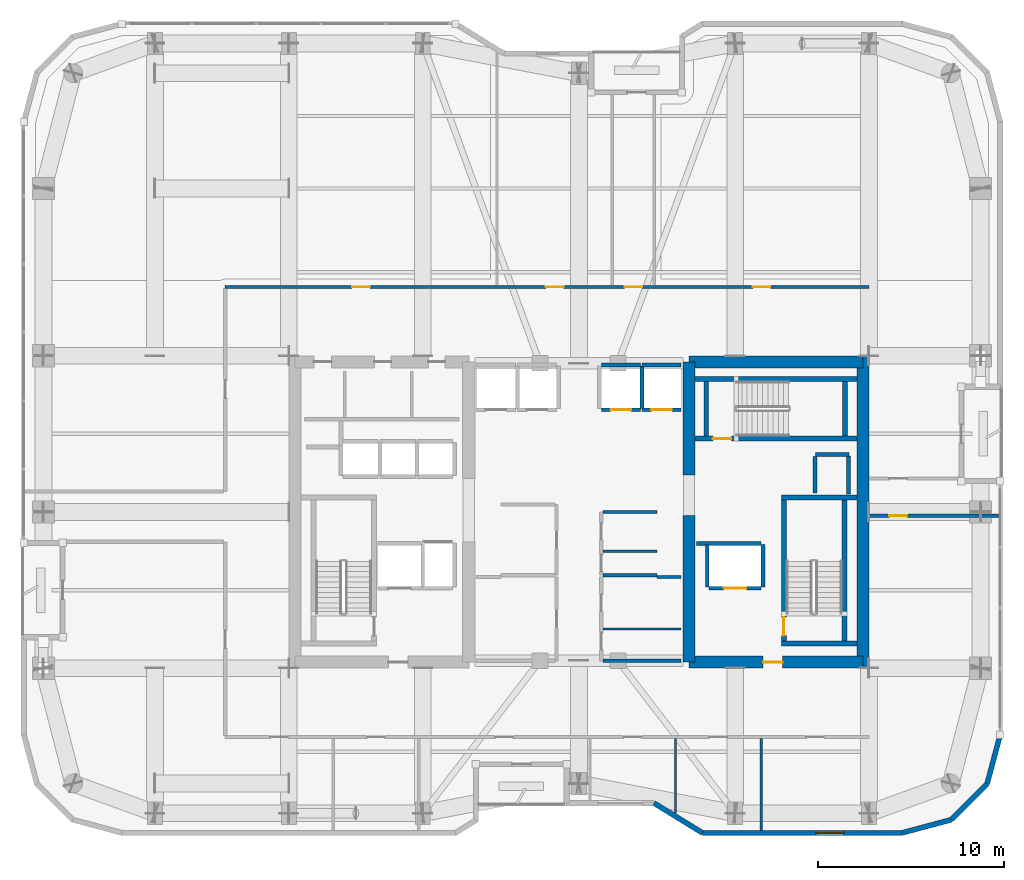
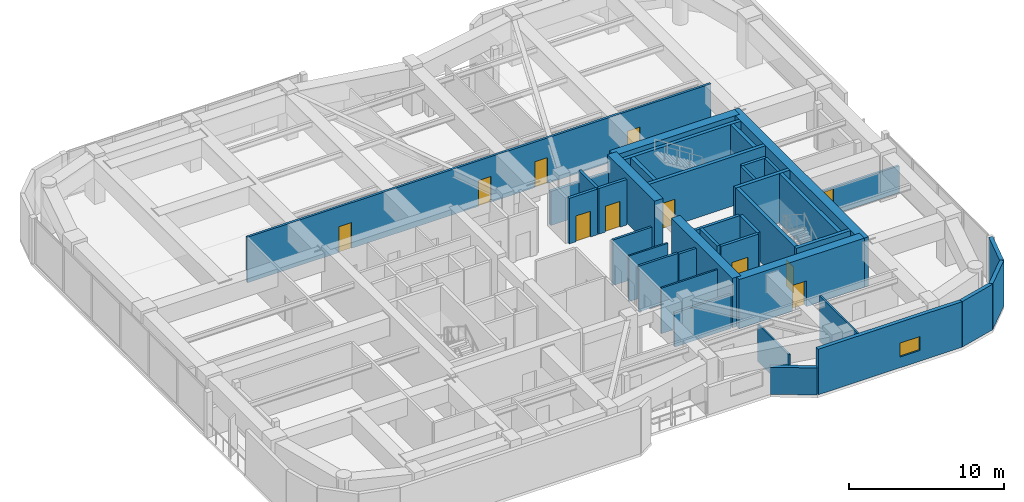
# One storey, part 26 of 30: 40 walls, 11 doors, 1 window, 12 openings.
"""IFC4 building model written with IfcOpenShell, lengths in metres."""

from ifc_helpers import new_model, si_unit, direction, frame, frame_2d, origin, place, context, subcontext, project, spatial, rectangle, extrude, material, layer, layer_set, type_object, element, fill, save


model = new_model("IFC4")

# Units and contexts
model_context = context("Model", 3, precision=1e-05, world=origin(), true_north=direction((0.0, 1.0)))
body_context = subcontext(model_context, "Body", "Model", "MODEL_VIEW")
ifc_project = project(units=[si_unit("LENGTHUNIT", "METRE"), si_unit("AREAUNIT", "SQUARE_METRE"), si_unit("VOLUMEUNIT", "CUBIC_METRE"), si_unit("PLANEANGLEUNIT", "RADIAN"), si_unit("MASSUNIT", "GRAM", prefix="KILO")], contexts=[model_context])

# Site, building, storey
site_placement = place(None, origin())
site = spatial("IfcSite", under=ifc_project, at=site_placement, CompositionType="ELEMENT")
building_placement = place(site_placement, origin())
building = spatial("IfcBuilding", under=site, at=building_placement, Name="Kiyonajd Concourse Tower", CompositionType="ELEMENT")
storey_placement = place(building_placement, frame((0.0, 0.0, 205.800048828125)))
storey = spatial("IfcBuildingStorey", under=building, at=storey_placement, Name="L52", CompositionType="ELEMENT", Elevation=205.800048828125)

# Walls
ifc_material_1 = material(Name="Concrete C60/75", Category="concrete")
ifc_layer_1 = layer(ifc_material_1, 0.64990234375)
ifc_layer_set_1 = layer_set([ifc_layer_1], Name="Concrete C60/75")
wall_type_1 = type_object("IfcWallType", Name="WL-CORE-650", PredefinedType="SHEAR", material=ifc_layer_set_1)
wall_1_placement = place(storey_placement, frame((53.925048828125, 27.925048828125, 0.0), z_axis=(0.0, 0.0, 1.0), x_axis=(0.0, 1.0, 0.0)))
element("IfcWall", 1, at=wall_1_placement, inside=storey, type_object=wall_type_1, Name="L52 East Core Inner South Shear Wall", PredefinedType="SHEAR", context=body_context, shape_type="SweptSolid", body=[
    extrude(rectangle(XDim=7.875, YDim=0.64990234375, at=frame_2d((3.9375, 0.0))), origin(), (0.0, 0.0, 1.0), 3.89990234375),
])
wall_2_placement = place(storey_placement, frame((53.925048828125, 38.0, 0.0), z_axis=(0.0, 0.0, 1.0), x_axis=(0.0, 1.0, 0.0)))
element("IfcWall", 2, at=wall_2_placement, inside=storey, type_object=wall_type_1, Name="L52 East Core Inner North Shear Wall", PredefinedType="SHEAR", context=body_context, shape_type="SweptSolid", body=[
    extrude(rectangle(XDim=6.074951171875, YDim=0.64990234375, at=frame_2d((3.03759765625, 0.0))), origin(), (0.0, 0.0, 1.0), 3.89990234375),
])
wall_3_placement = place(storey_placement, frame((63.27490234375, 27.60009765625, 0.0), z_axis=(0.0, 0.0, 1.0), x_axis=(0.0, 1.0, 0.0)))
element("IfcWall", 3, at=wall_3_placement, inside=storey, type_object=wall_type_1, Name="L52 East Core Outer Shear Wall", PredefinedType="SHEAR", context=body_context, shape_type="SweptSolid", body=[
    extrude(rectangle(XDim=16.7998046875, YDim=0.64990234375, at=frame_2d((8.39990234375, 0.0))), origin(), (0.0, 0.0, 1.0), 3.89990234375),
])

# Wall, opening, door
wall_4_placement = place(storey_placement, frame((53.925048828125, 27.925048828125, 0.0), z_axis=(0.0, 0.0, 1.0), x_axis=(1.0, 0.0, 0.0)))
wall_4 = element("IfcWall", 4, at=wall_4_placement, inside=storey, type_object=wall_type_1, Name="L52 East Core South Shear Wall", PredefinedType="SHEAR", context=body_context, shape_type="SweptSolid", body=[
    extrude(rectangle(XDim=9.349853515625, YDim=0.64990234375, at=frame_2d((4.6748046875, 0.0))), origin(), (0.0, 0.0, 1.0), 3.89990234375),
])
opening_1_placement = place(wall_4_placement, frame((3.97509765625, 0.0, 0.0)))
opening_1 = element("IfcOpeningElement", 5, at=opening_1_placement, cuts=wall_4, Name="Opening DF5", PredefinedType="OPENING", context=body_context, shape_type="SweptSolid", body=[
    extrude(rectangle(XDim=1.050048828125, YDim=2.0400390625, at=frame_2d((0.52490234375, 1.02001953125))), frame((0.0, 0.3349609375, 0.0), z_axis=(0.0, -1.0, 0.0), x_axis=(1.0, 0.0, 0.0)), (0.0, 0.0, 1.0), 0.669921875),
])
ifc_material_2 = material(Name="Brushed Stainless Steel Cab Assembly", Category="steel")
door_type_1 = type_object("IfcDoorType", Name="DR-FD45-1050", OperationType="NOTDEFINED", PredefinedType="DOOR", material=ifc_material_2)
door_1_placement = place(opening_1_placement, origin())
door_1 = element("IfcDoor", 6, at=door_1_placement, inside=storey, type_object=door_type_1, Name="L52 Firefighting Lift Lobby E Smoke Door", OperationType="SINGLE_SWING_RIGHT", OverallHeight=2.0400390625, OverallWidth=1.050048828125, PredefinedType="DOOR", context=body_context, shape_type="SweptSolid", body=[
    extrude(rectangle(XDim=1.050048828125, YDim=2.0400390625, at=frame_2d((0.52490234375, 1.02001953125))), frame((0.0, 0.02490234375, 0.0), z_axis=(0.0, -1.0, 0.0), x_axis=(1.0, 0.0, 0.0)), (0.0, 0.0, 1.0), 0.050048828125),
])
fill(opening_1, door_1)

# Walls
wall_5_placement = place(storey_placement, frame((53.925048828125, 44.074951171875, 0.0), z_axis=(0.0, 0.0, 1.0), x_axis=(1.0, 0.0, 0.0)))
element("IfcWall", 7, at=wall_5_placement, inside=storey, type_object=wall_type_1, Name="L52 East Core North Shear Wall", PredefinedType="SHEAR", context=body_context, shape_type="SweptSolid", body=[
    extrude(rectangle(XDim=9.349853515625, YDim=0.64990234375, at=frame_2d((4.6748046875, 0.0))), origin(), (0.0, 0.0, 1.0), 3.89990234375),
])
ifc_material_3 = material(Name="Precast concrete C50/60", Category="concrete")
ifc_layer_2 = layer(ifc_material_3, 0.280029296875)
ifc_layer_set_2 = layer_set([ifc_layer_2], Name="Precast concrete C50/60")
wall_type_2 = type_object("IfcWallType", Name="WL-EXT-280", PredefinedType="SOLIDWALL", material=ifc_layer_set_2)
wall_6_placement = place(storey_placement, frame((70.659912109375, 24.018310546875, 0.0), z_axis=(0.0, 0.0, 1.0), x_axis=(-0.258672222976, -0.9659651552, 0.0)))
element("IfcWall", 8, at=wall_6_placement, inside=storey, type_object=wall_type_2, Name="L52 Exterior Concrete Frame Wall 25", PredefinedType="SOLIDWALL", context=body_context, shape_type="SweptSolid", body=[
    extrude(rectangle(XDim=2.739013671875, YDim=0.280029296875, at=frame_2d((1.36962890625, 0.0))), origin(), (0.0, 0.0, 1.0), 3.599853515625),
])
wall_7_placement = place(storey_placement, frame((69.951416015625, 21.37255859375, 0.0), z_axis=(0.0, 0.0, 1.0), x_axis=(-0.707061915429, -0.707151644098, 0.0)))
element("IfcWall", 9, at=wall_7_placement, inside=storey, type_object=wall_type_2, Name="L52 Exterior Concrete Frame Wall 26", PredefinedType="SOLIDWALL", context=body_context, shape_type="SweptSolid", body=[
    extrude(rectangle(XDim=2.720947265625, YDim=0.280029296875, at=frame_2d((1.3603515625, 0.0))), origin(), (0.0, 0.0, 1.0), 3.599853515625),
])
wall_8_placement = place(storey_placement, frame((68.027587890625, 19.448486328125, 0.0), z_axis=(0.0, 0.0, 1.0), x_axis=(-0.965971118627, -0.258649952598, 0.0)))
element("IfcWall", 10, at=wall_8_placement, inside=storey, type_object=wall_type_2, Name="L52 Exterior Concrete Frame Wall 27", PredefinedType="SOLIDWALL", context=body_context, shape_type="SweptSolid", body=[
    extrude(rectangle(XDim=2.7392578125, YDim=0.280029296875, at=frame_2d((1.36962890625, 0.0))), origin(), (0.0, 0.0, 1.0), 3.599853515625),
])

# Wall, opening, window
wall_9_placement = place(storey_placement, frame((65.381591796875, 18.739990234375, 0.0), z_axis=(0.0, 0.0, 1.0), x_axis=(-1.0, 0.0, 0.0)))
wall_9 = element("IfcWall", 11, at=wall_9_placement, inside=storey, type_object=wall_type_2, Name="L52 Exterior Concrete Frame Wall 28", PredefinedType="SOLIDWALL", context=body_context, shape_type="SweptSolid", body=[
    extrude(rectangle(XDim=10.741943359375, YDim=0.280029296875, at=frame_2d((5.37109375, 0.0))), origin(), (0.0, 0.0, 1.0), 3.599853515625),
])
opening_2_placement = place(wall_9_placement, frame((3.135986328125, 0.0, 0.85009765625)))
opening_2 = element("IfcOpeningElement", 12, at=opening_2_placement, cuts=wall_9, Name="Opening WN2", PredefinedType="OPENING", context=body_context, shape_type="SweptSolid", body=[
    extrude(rectangle(XDim=1.5, YDim=1.10009765625, at=frame_2d((0.75, 0.550048828125))), frame((0.0, 0.14990234375, 0.0), z_axis=(0.0, -1.0, 0.0), x_axis=(1.0, 0.0, 0.0)), (0.0, 0.0, 1.0), 0.300048828125),
])
ifc_material_4 = material(Name="Double Low-E Insulated Glass", Category="glass")
window_type = type_object("IfcWindowType", Name="WN-VIS-1500x1100", PartitioningType="SINGLE_PANEL", PredefinedType="WINDOW", material=ifc_material_4)
window_placement = place(opening_2_placement, origin())
window = element("IfcWindow", 13, at=window_placement, inside=storey, type_object=window_type, Name="L52 Modular Facade Vision Window 28", OverallHeight=1.10009765625, OverallWidth=1.5, PartitioningType="SINGLE_PANEL", PredefinedType="WINDOW", context=body_context, shape_type="SweptSolid", body=[
    extrude(rectangle(XDim=1.5, YDim=1.10009765625, at=frame_2d((0.75, 0.550048828125))), frame((0.0, 0.030029296875, 0.0), z_axis=(0.0, -1.0, 0.0), x_axis=(1.0, 0.0, 0.0)), (0.0, 0.0, 1.0), 0.06005859375),
])
fill(opening_2, window)

# Walls
wall_10_placement = place(storey_placement, frame((54.6396484375, 18.739990234375, 0.0), z_axis=(0.0, 0.0, 1.0), x_axis=(-0.851652825334, 0.524106349037, 0.0)))
element("IfcWall", 14, at=wall_10_placement, inside=storey, type_object=wall_type_2, Name="L52 Exterior Concrete Frame Wall 29", PredefinedType="SOLIDWALL", context=body_context, shape_type="SweptSolid", body=[
    extrude(rectangle(XDim=3.052978515625, YDim=0.280029296875, at=frame_2d((1.5263671875, 0.0))), origin(), (0.0, 0.0, 1.0), 2.135009765625),
])
ifc_material_5 = material(Name="Gypsum Board on Cold-Formed Steel Stud", Category="steel")
ifc_layer_3 = layer(ifc_material_5, 0.125)
ifc_layer_set_3 = layer_set([ifc_layer_3], Name="Gypsum Board on Cold-Formed Steel Stud")
wall_type_3 = type_object("IfcWallType", Name="WL-PART-125", PredefinedType="PARTITIONING", material=ifc_layer_set_3)
wall_11_placement = place(storey_placement, frame((49.287109375, 33.89208984375, 0.0), z_axis=(0.0, 0.0, 1.0), x_axis=(1.0, 0.0, 0.0)))
element("IfcWall", 15, at=wall_11_placement, inside=storey, type_object=wall_type_3, Name="L52 Interior Partition Wall", PredefinedType="PARTITIONING", context=body_context, shape_type="SweptSolid", body=[
    extrude(rectangle(XDim=2.912841796875, YDim=0.125, at=frame_2d((1.45654296875, 0.0))), origin(), (0.0, 0.0, 1.0), 3.599853515625),
])
wall_12_placement = place(storey_placement, frame((49.287109375, 29.7099609375, 0.0), z_axis=(0.0, 0.0, 1.0), x_axis=(1.0, 0.0, 0.0)))
element("IfcWall", 16, at=wall_12_placement, inside=storey, type_object=wall_type_3, Name="L52 Interior Partition Wall", PredefinedType="PARTITIONING", context=body_context, shape_type="SweptSolid", body=[
    extrude(rectangle(XDim=4.212890625, YDim=0.125, at=frame_2d((2.1064453125, 0.0))), origin(), (0.0, 0.0, 1.0), 3.599853515625),
])
wall_13_placement = place(storey_placement, frame((53.18994140625, 19.800048828125, 0.0), z_axis=(0.0, 0.0, 1.0), x_axis=(0.0, 1.0, 0.0)))
element("IfcWall", 17, at=wall_13_placement, inside=storey, type_object=wall_type_3, Name="L52 Interior Partition Wall", PredefinedType="PARTITIONING", context=body_context, shape_type="SweptSolid", body=[
    extrude(rectangle(XDim=4.012939453125, YDim=0.125, at=frame_2d((2.00634765625, 0.0))), origin(), (0.0, 0.0, 1.0), 2.962890625),
])
wall_14_placement = place(storey_placement, frame((57.800048828125, 18.875, 0.0), z_axis=(0.0, 0.0, 1.0), x_axis=(0.0, 1.0, 0.0)))
element("IfcWall", 18, at=wall_14_placement, inside=storey, type_object=wall_type_3, Name="L52 Interior Partition Wall", PredefinedType="PARTITIONING", context=body_context, shape_type="SweptSolid", body=[
    extrude(rectangle(XDim=4.93798828125, YDim=0.125, at=frame_2d((2.468994140625, 0.0))), origin(), (0.0, 0.0, 1.0), 3.599853515625),
])
ifc_layer_4 = layer(ifc_material_5, 0.2099609375)
ifc_layer_set_4 = layer_set([ifc_layer_4], Name="Gypsum Board on Cold-Formed Steel Stud")
wall_type_4 = type_object("IfcWallType", Name="WL-SHAFT-210", PredefinedType="PARTITIONING", material=ifc_layer_set_4)
wall_15_placement = place(storey_placement, frame((60.719970703125, 39.10009765625, 0.0), z_axis=(0.0, 0.0, 1.0), x_axis=(1.0, 0.0, 0.0)))
element("IfcWall", 19, at=wall_15_placement, inside=storey, type_object=wall_type_4, Name="L52 Shaft Enclosure Wall", PredefinedType="PARTITIONING", context=body_context, shape_type="SweptSolid", body=[
    extrude(rectangle(XDim=1.800048828125, YDim=0.2099609375, at=frame_2d((0.89990234375, 0.0))), origin(), (0.0, 0.0, 1.0), 3.599853515625),
])
wall_16_placement = place(storey_placement, frame((60.699951171875, 37.02001953125, 0.0), z_axis=(0.0, 0.0, 1.0), x_axis=(0.0, 1.0, 0.0)))
element("IfcWall", 20, at=wall_16_placement, inside=storey, type_object=wall_type_4, Name="L52 Shaft Enclosure Wall", PredefinedType="PARTITIONING", context=body_context, shape_type="SweptSolid", body=[
    extrude(rectangle(XDim=1.9599609375, YDim=0.2099609375, at=frame_2d((0.97998046875, 0.0))), origin(), (0.0, 0.0, 1.0), 3.599853515625),
])
wall_17_placement = place(storey_placement, frame((62.5, 36.97998046875, 0.0), z_axis=(0.0, 0.0, 1.0), x_axis=(0.0, 1.0, 0.0)))
element("IfcWall", 21, at=wall_17_placement, inside=storey, type_object=wall_type_4, Name="L52 Shaft Enclosure Wall", PredefinedType="PARTITIONING", context=body_context, shape_type="SweptSolid", body=[
    extrude(rectangle(XDim=2.0400390625, YDim=0.2099609375, at=frame_2d((1.02001953125, 0.0))), origin(), (0.0, 0.0, 1.0), 3.599853515625),
])

# Wall, opening, door
wall_18_placement = place(storey_placement, frame((55.0, 31.89990234375, 0.0), z_axis=(0.0, 0.0, 1.0), x_axis=(1.0, 0.0, 0.0)))
wall_18 = element("IfcWall", 22, at=wall_18_placement, inside=storey, type_object=wall_type_4, Name="L52 Shaft Enclosure Wall", PredefinedType="PARTITIONING", context=body_context, shape_type="SweptSolid", body=[
    extrude(rectangle(XDim=2.800048828125, YDim=0.2099609375, at=frame_2d((1.39990234375, 0.0))), origin(), (0.0, 0.0, 1.0), 3.599853515625),
])
opening_3_placement = place(wall_18_placement, frame((0.800048828125, 0.0, 0.0)))
opening_3 = element("IfcOpeningElement", 23, at=opening_3_placement, cuts=wall_18, Name="Opening LD2", PredefinedType="OPENING", context=body_context, shape_type="SweptSolid", body=[
    extrude(rectangle(XDim=1.199951171875, YDim=2.0400390625, at=frame_2d((0.60009765625, 1.02001953125))), frame((0.0, 0.114990234375, 0.0), z_axis=(0.0, -1.0, 0.0), x_axis=(1.0, 0.0, 0.0)), (0.0, 0.0, 1.0), 0.22998046875),
])
door_type_2 = type_object("IfcDoorType", Name="DR-LD-1200", OperationType="DOUBLE_DOOR_SLIDING", PredefinedType="DOOR", material=ifc_material_2)
door_2_placement = place(opening_3_placement, origin())
door_2 = element("IfcDoor", 24, at=door_2_placement, inside=storey, type_object=door_type_2, Name="L52 Lift FFL2 Sliding Landing Door", OperationType="DOUBLE_DOOR_SLIDING", OverallHeight=2.0400390625, OverallWidth=1.199951171875, PredefinedType="DOOR", context=body_context, shape_type="SweptSolid", body=[
    extrude(rectangle(XDim=1.199951171875, YDim=2.0400390625, at=frame_2d((0.60009765625, 1.02001953125))), frame((0.0, 0.02490234375, 0.0), z_axis=(0.0, -1.0, 0.0), x_axis=(1.0, 0.0, 0.0)), (0.0, 0.0, 1.0), 0.050048828125),
])
fill(opening_3, door_2)

# Walls
wall_19_placement = place(storey_placement, frame((54.320068359375, 34.300048828125, 0.0), z_axis=(0.0, 0.0, 1.0), x_axis=(1.0, 0.0, 0.0)))
element("IfcWall", 25, at=wall_19_placement, inside=storey, type_object=wall_type_4, Name="L52 Shaft Enclosure Wall", PredefinedType="PARTITIONING", context=body_context, shape_type="SweptSolid", body=[
    extrude(rectangle(XDim=3.47998046875, YDim=0.2099609375, at=frame_2d((1.739990234375, 0.0))), origin(), (0.0, 0.0, 1.0), 3.599853515625),
])
for number, where, z_axis, x_axis, name in (
    (26, (54.89990234375, 31.9599609375, 0.0), (0.0, 0.0, 1.0), (0.0, 1.0, 0.0), "L52 Shaft Enclosure Wall"),
    (27, (57.89990234375, 31.9599609375, 0.0), (0.0, 0.0, 1.0), (0.0, 1.0, 0.0), "L52 Shaft Enclosure Wall"),
):
    element("IfcWall", number, at=place(storey_placement, frame(where, z_axis=z_axis, x_axis=x_axis)), inside=storey, type_object=wall_type_4, Name=name, PredefinedType="PARTITIONING", context=body_context, shape_type="SweptSolid", body=[
        extrude(rectangle(XDim=2.280029296875, YDim=0.2099609375, at=frame_2d((1.14013671875, 0.0))), origin(), (0.0, 0.0, 1.0), 3.599853515625),
    ])

# Wall, opening, door
wall_20_placement = place(storey_placement, frame((49.199951171875, 41.5, 0.0), z_axis=(0.0, 0.0, 1.0), x_axis=(1.0, 0.0, 0.0)))
wall_20 = element("IfcWall", 28, at=wall_20_placement, inside=storey, type_object=wall_type_4, Name="L52 Shaft Enclosure Wall", PredefinedType="PARTITIONING", context=body_context, shape_type="SweptSolid", body=[
    extrude(rectangle(XDim=2.10009765625, YDim=0.2099609375, at=frame_2d((1.050048828125, 0.0))), origin(), (0.0, 0.0, 1.0), 3.599853515625),
])
opening_4_placement = place(wall_20_placement, frame((0.5, 0.0, 0.0)))
opening_4 = element("IfcOpeningElement", 29, at=opening_4_placement, cuts=wall_20, Name="Opening LD1", PredefinedType="OPENING", context=body_context, shape_type="SweptSolid", body=[
    extrude(rectangle(XDim=1.10009765625, YDim=2.0400390625, at=frame_2d((0.550048828125, 1.02001953125))), frame((0.0, 0.114990234375, 0.0), z_axis=(0.0, -1.0, 0.0), x_axis=(1.0, 0.0, 0.0)), (0.0, 0.0, 1.0), 0.22998046875),
])
door_type_3 = type_object("IfcDoorType", Name="DR-LD-1100", OperationType="DOUBLE_DOOR_SLIDING", PredefinedType="DOOR", material=ifc_material_2)
door_3_placement = place(opening_4_placement, origin())
door_3 = element("IfcDoor", 30, at=door_3_placement, inside=storey, type_object=door_type_3, Name="L52 Lift PL-M3 Sliding Landing Door", OperationType="DOUBLE_DOOR_SLIDING", OverallHeight=2.0400390625, OverallWidth=1.10009765625, PredefinedType="DOOR", context=body_context, shape_type="SweptSolid", body=[
    extrude(rectangle(XDim=1.10009765625, YDim=2.0400390625, at=frame_2d((0.550048828125, 1.02001953125))), frame((0.0, 0.02490234375, 0.0), z_axis=(0.0, -1.0, 0.0), x_axis=(1.0, 0.0, 0.0)), (0.0, 0.0, 1.0), 0.050048828125),
])
fill(opening_4, door_3)

# Walls
wall_21_placement = place(storey_placement, frame((49.199951171875, 43.89990234375, 0.0), z_axis=(0.0, 0.0, 1.0), x_axis=(1.0, 0.0, 0.0)))
element("IfcWall", 31, at=wall_21_placement, inside=storey, type_object=wall_type_4, Name="L52 Shaft Enclosure Wall", PredefinedType="PARTITIONING", context=body_context, shape_type="SweptSolid", body=[
    extrude(rectangle(XDim=2.10009765625, YDim=0.2099609375, at=frame_2d((1.050048828125, 0.0))), origin(), (0.0, 0.0, 1.0), 2.68505859375),
])
wall_22_placement = place(storey_placement, frame((51.39990234375, 41.56005859375, 0.0), z_axis=(0.0, 0.0, 1.0), x_axis=(0.0, 1.0, 0.0)))
element("IfcWall", 32, at=wall_22_placement, inside=storey, type_object=wall_type_4, Name="L52 Shaft Enclosure Wall", PredefinedType="PARTITIONING", context=body_context, shape_type="SweptSolid", body=[
    extrude(rectangle(XDim=2.280029296875, YDim=0.2099609375, at=frame_2d((1.14013671875, 0.0))), origin(), (0.0, 0.0, 1.0), 3.599853515625),
])

# Wall, opening, door
wall_23_placement = place(storey_placement, frame((51.39990234375, 41.5, 0.0), z_axis=(0.0, 0.0, 1.0), x_axis=(1.0, 0.0, 0.0)))
wall_23 = element("IfcWall", 33, at=wall_23_placement, inside=storey, type_object=wall_type_4, Name="L52 Shaft Enclosure Wall", PredefinedType="PARTITIONING", context=body_context, shape_type="SweptSolid", body=[
    extrude(rectangle(XDim=2.10009765625, YDim=0.2099609375, at=frame_2d((1.050048828125, 0.0))), origin(), (0.0, 0.0, 1.0), 3.599853515625),
])
opening_5_placement = place(wall_23_placement, frame((0.5, 0.0, 0.0)))
opening_5 = element("IfcOpeningElement", 34, at=opening_5_placement, cuts=wall_23, Name="Opening LD1", PredefinedType="OPENING", context=body_context, shape_type="SweptSolid", body=[
    extrude(rectangle(XDim=1.10009765625, YDim=2.0400390625, at=frame_2d((0.550048828125, 1.02001953125))), frame((0.0, 0.114990234375, 0.0), z_axis=(0.0, -1.0, 0.0), x_axis=(1.0, 0.0, 0.0)), (0.0, 0.0, 1.0), 0.22998046875),
])
door_4_placement = place(opening_5_placement, origin())
door_4 = element("IfcDoor", 35, at=door_4_placement, inside=storey, type_object=door_type_3, Name="L52 Lift PL-M4 Sliding Landing Door", OperationType="DOUBLE_DOOR_SLIDING", OverallHeight=2.0400390625, OverallWidth=1.10009765625, PredefinedType="DOOR", context=body_context, shape_type="SweptSolid", body=[
    extrude(rectangle(XDim=1.10009765625, YDim=2.0400390625, at=frame_2d((0.550048828125, 1.02001953125))), frame((0.0, 0.02490234375, 0.0), z_axis=(0.0, -1.0, 0.0), x_axis=(1.0, 0.0, 0.0)), (0.0, 0.0, 1.0), 0.050048828125),
])
fill(opening_5, door_4)

# Walls
wall_24_placement = place(storey_placement, frame((51.39990234375, 43.89990234375, 0.0), z_axis=(0.0, 0.0, 1.0), x_axis=(1.0, 0.0, 0.0)))
element("IfcWall", 36, at=wall_24_placement, inside=storey, type_object=wall_type_4, Name="L52 Shaft Enclosure Wall", PredefinedType="PARTITIONING", context=body_context, shape_type="SweptSolid", body=[
    extrude(rectangle(XDim=2.10009765625, YDim=0.2099609375, at=frame_2d((1.050048828125, 0.0))), origin(), (0.0, 0.0, 1.0), 2.68505859375),
])
ifc_layer_5 = layer(ifc_material_5, 0.169921875)
ifc_layer_set_5 = layer_set([ifc_layer_5], Name="Gypsum Board on Cold-Formed Steel Stud")
wall_type_5 = type_object("IfcWallType", Name="WL-SMK-170", PredefinedType="PARTITIONING", material=ifc_layer_set_5)
for number, where, z_axis, x_axis, name in (
    (37, (49.287109375, 32.60009765625, 0.0), (0.0, 0.0, 1.0), (1.0, 0.0, 0.0), "L52 Interior Partition Wall"),
    (38, (49.287109375, 36.0, 0.0), (0.0, 0.0, 1.0), (1.0, 0.0, 0.0), "L52 Interior Partition Wall"),
):
    element("IfcWall", number, at=place(storey_placement, frame(where, z_axis=z_axis, x_axis=x_axis)), inside=storey, type_object=wall_type_5, Name=name, PredefinedType="PARTITIONING", context=body_context, shape_type="SweptSolid", body=[
        extrude(rectangle(XDim=2.912841796875, YDim=0.169921875, at=frame_2d((1.45654296875, 0.0))), origin(), (0.0, 0.0, 1.0), 3.599853515625),
    ])
wall_25_placement = place(storey_placement, frame((49.287109375, 28.0, 0.0), z_axis=(0.0, 0.0, 1.0), x_axis=(1.0, 0.0, 0.0)))
element("IfcWall", 39, at=wall_25_placement, inside=storey, type_object=wall_type_5, Name="L52 Interior Partition Wall", PredefinedType="PARTITIONING", context=body_context, shape_type="SweptSolid", body=[
    extrude(rectangle(XDim=4.212890625, YDim=0.169921875, at=frame_2d((2.1064453125, 0.0))), origin(), (0.0, 0.0, 1.0), 2.68505859375),
])
wall_26_placement = place(storey_placement, frame((52.199951171875, 32.5, 0.0), z_axis=(0.0, 0.0, 1.0), x_axis=(1.0, 0.0, 0.0)))
element("IfcWall", 40, at=wall_26_placement, inside=storey, type_object=wall_type_5, Name="L52 Interior Partition Wall", PredefinedType="PARTITIONING", context=body_context, shape_type="SweptSolid", body=[
    extrude(rectangle(XDim=1.300048828125, YDim=0.169921875, at=frame_2d((0.64990234375, 0.0))), origin(), (0.0, 0.0, 1.0), 3.599853515625),
])

# Wall, openings, doors
wall_27_placement = place(storey_placement, frame((28.97509765625, 48.10009765625, 0.0), z_axis=(0.0, 0.0, 1.0), x_axis=(1.0, 0.0, 0.0)))
wall_27 = element("IfcWall", 41, at=wall_27_placement, inside=storey, type_object=wall_type_5, Name="L52 Interior Partition Wall", PredefinedType="PARTITIONING", context=body_context, shape_type="SweptSolid", body=[
    extrude(rectangle(XDim=34.625, YDim=0.169921875, at=frame_2d((17.3125, 0.0))), origin(), (0.0, 0.0, 1.0), 3.599853515625),
])
opening_6_placement = place(wall_27_placement, frame((6.83203125, 0.0, 0.0)))
opening_6 = element("IfcOpeningElement", 42, at=opening_6_placement, cuts=wall_27, Name="Opening DI1", PredefinedType="OPENING", context=body_context, shape_type="SweptSolid", body=[
    extrude(rectangle(XDim=0.949951171875, YDim=2.0400390625, at=frame_2d((0.47509765625, 1.02001953125))), frame((0.0, 0.094970703125, 0.0), z_axis=(0.0, -1.0, 0.0), x_axis=(1.0, 0.0, 0.0)), (0.0, 0.0, 1.0), 0.18994140625),
])
opening_7_placement = place(wall_27_placement, frame((17.2451171875, 0.0, 0.0)))
opening_7 = element("IfcOpeningElement", 43, at=opening_7_placement, cuts=wall_27, Name="Opening DI1", PredefinedType="OPENING", context=body_context, shape_type="SweptSolid", body=[
    extrude(rectangle(XDim=0.949951171875, YDim=2.0400390625, at=frame_2d((0.47509765625, 1.02001953125))), frame((0.0, 0.094970703125, 0.0), z_axis=(0.0, -1.0, 0.0), x_axis=(1.0, 0.0, 0.0)), (0.0, 0.0, 1.0), 0.18994140625),
])
opening_8_placement = place(wall_27_placement, frame((21.47509765625, 0.0, 0.0)))
opening_8 = element("IfcOpeningElement", 44, at=opening_8_placement, cuts=wall_27, Name="Opening DI1", PredefinedType="OPENING", context=body_context, shape_type="SweptSolid", body=[
    extrude(rectangle(XDim=0.949951171875, YDim=2.0400390625, at=frame_2d((0.47509765625, 1.02001953125))), frame((0.0, 0.094970703125, 0.0), z_axis=(0.0, -1.0, 0.0), x_axis=(1.0, 0.0, 0.0)), (0.0, 0.0, 1.0), 0.18994140625),
])
opening_9_placement = place(wall_27_placement, frame((28.375, 0.0, 0.0)))
opening_9 = element("IfcOpeningElement", 45, at=opening_9_placement, cuts=wall_27, Name="Opening DI1", PredefinedType="OPENING", context=body_context, shape_type="SweptSolid", body=[
    extrude(rectangle(XDim=0.949951171875, YDim=2.0400390625, at=frame_2d((0.47509765625, 1.02001953125))), frame((0.0, 0.094970703125, 0.0), z_axis=(0.0, -1.0, 0.0), x_axis=(1.0, 0.0, 0.0)), (0.0, 0.0, 1.0), 0.18994140625),
])
ifc_material_6 = material(Name="Natural Oak Acoustic Timber Veneer", Category="wood")
door_type_4 = type_object("IfcDoorType", Name="DR-INT-950", OperationType="NOTDEFINED", PredefinedType="DOOR", material=ifc_material_6)
door_5_placement = place(opening_6_placement, origin())
door_5 = element("IfcDoor", 46, at=door_5_placement, inside=storey, type_object=door_type_4, Name="L52 Interior Door", OperationType="SINGLE_SWING_RIGHT", OverallHeight=2.0400390625, OverallWidth=0.949951171875, PredefinedType="DOOR", context=body_context, shape_type="SweptSolid", body=[
    extrude(rectangle(XDim=0.949951171875, YDim=2.0400390625, at=frame_2d((0.47509765625, 1.02001953125))), frame((0.0, 0.02490234375, 0.0), z_axis=(0.0, -1.0, 0.0), x_axis=(1.0, 0.0, 0.0)), (0.0, 0.0, 1.0), 0.050048828125),
])
fill(opening_6, door_5)
door_6_placement = place(opening_7_placement, origin())
door_6 = element("IfcDoor", 47, at=door_6_placement, inside=storey, type_object=door_type_4, Name="L52 Interior Door", OperationType="SINGLE_SWING_LEFT", OverallHeight=2.0400390625, OverallWidth=0.949951171875, PredefinedType="DOOR", context=body_context, shape_type="SweptSolid", body=[
    extrude(rectangle(XDim=0.949951171875, YDim=2.0400390625, at=frame_2d((0.47509765625, 1.02001953125))), frame((0.0, 0.02490234375, 0.0), z_axis=(0.0, -1.0, 0.0), x_axis=(1.0, 0.0, 0.0)), (0.0, 0.0, 1.0), 0.050048828125),
])
fill(opening_7, door_6)
door_7_placement = place(opening_8_placement, origin())
door_7 = element("IfcDoor", 48, at=door_7_placement, inside=storey, type_object=door_type_4, Name="L52 Interior Door", OperationType="SINGLE_SWING_RIGHT", OverallHeight=2.0400390625, OverallWidth=0.949951171875, PredefinedType="DOOR", context=body_context, shape_type="SweptSolid", body=[
    extrude(rectangle(XDim=0.949951171875, YDim=2.0400390625, at=frame_2d((0.47509765625, 1.02001953125))), frame((0.0, 0.02490234375, 0.0), z_axis=(0.0, -1.0, 0.0), x_axis=(1.0, 0.0, 0.0)), (0.0, 0.0, 1.0), 0.050048828125),
])
fill(opening_8, door_7)
door_8_placement = place(opening_9_placement, origin())
door_8 = element("IfcDoor", 49, at=door_8_placement, inside=storey, type_object=door_type_4, Name="L52 Interior Door", OperationType="SINGLE_SWING_LEFT", OverallHeight=2.0400390625, OverallWidth=0.949951171875, PredefinedType="DOOR", context=body_context, shape_type="SweptSolid", body=[
    extrude(rectangle(XDim=0.949951171875, YDim=2.0400390625, at=frame_2d((0.47509765625, 1.02001953125))), frame((0.0, 0.02490234375, 0.0), z_axis=(0.0, -1.0, 0.0), x_axis=(1.0, 0.0, 0.0)), (0.0, 0.0, 1.0), 0.050048828125),
])
fill(opening_9, door_8)

# Wall, opening, door
wall_28_placement = place(storey_placement, frame((63.60009765625, 35.800048828125, 0.0), z_axis=(0.0, 0.0, 1.0), x_axis=(1.0, 0.0, 0.0)))
wall_28 = element("IfcWall", 50, at=wall_28_placement, inside=storey, type_object=wall_type_5, Name="L52 Interior Partition Wall", PredefinedType="PARTITIONING", context=body_context, shape_type="SweptSolid", body=[
    extrude(rectangle(XDim=6.974853515625, YDim=0.169921875, at=frame_2d((3.4873046875, 0.0))), origin(), (0.0, 0.0, 1.0), 2.135009765625),
])
opening_10_placement = place(wall_28_placement, frame((1.10009765625, 0.0, 0.0)))
opening_10 = element("IfcOpeningElement", 51, at=opening_10_placement, cuts=wall_28, Name="Opening DI1", PredefinedType="OPENING", context=body_context, shape_type="SweptSolid", body=[
    extrude(rectangle(XDim=0.949951171875, YDim=2.0400390625, at=frame_2d((0.47509765625, 1.02001953125))), frame((0.0, 0.094970703125, 0.0), z_axis=(0.0, -1.0, 0.0), x_axis=(1.0, 0.0, 0.0)), (0.0, 0.0, 1.0), 0.18994140625),
])
door_9_placement = place(opening_10_placement, origin())
door_9 = element("IfcDoor", 52, at=door_9_placement, inside=storey, type_object=door_type_4, Name="L52 Interior Door", OperationType="SINGLE_SWING_RIGHT", OverallHeight=2.0400390625, OverallWidth=0.949951171875, PredefinedType="DOOR", context=body_context, shape_type="SweptSolid", body=[
    extrude(rectangle(XDim=0.949951171875, YDim=2.0400390625, at=frame_2d((0.47509765625, 1.02001953125))), frame((0.0, 0.02490234375, 0.0), z_axis=(0.0, -1.0, 0.0), x_axis=(1.0, 0.0, 0.0)), (0.0, 0.0, 1.0), 0.050048828125),
])
fill(opening_10, door_9)

# Walls
ifc_material_7 = material(Name="Concrete C50/60", Category="concrete")
ifc_layer_6 = layer(ifc_material_7, 0.260009765625)
ifc_layer_set_6 = layer_set([ifc_layer_6], Name="Concrete C50/60")
wall_type_6 = type_object("IfcWallType", Name="WL-STAIR-260", PredefinedType="SHEAR", material=ifc_layer_set_6)
for number, where, z_axis, x_axis, name in (
    (53, (58.889892578125, 28.919921875, 0.0), (0.0, 0.0, 1.0), (1.0, 0.0, 0.0), "L52 Stair ST2 Structural South Wall"),
    (54, (58.889892578125, 36.780029296875, 0.0), (0.0, 0.0, 1.0), (1.0, 0.0, 0.0), "L52 Stair ST2 Structural North Wall"),
):
    element("IfcWall", number, at=place(storey_placement, frame(where, z_axis=z_axis, x_axis=x_axis)), inside=storey, type_object=wall_type_6, Name=name, PredefinedType="SHEAR", context=body_context, shape_type="SweptSolid", body=[
        extrude(rectangle(XDim=4.06005859375, YDim=0.260009765625, at=frame_2d((2.030029296875, 0.0))), origin(), (0.0, 0.0, 1.0), 3.89990234375),
    ])

# Wall, opening, door
wall_29_placement = place(storey_placement, frame((59.02001953125, 29.050048828125, 0.0), z_axis=(0.0, 0.0, 1.0), x_axis=(0.0, 1.0, 0.0)))
wall_29 = element("IfcWall", 55, at=wall_29_placement, inside=storey, type_object=wall_type_6, Name="L52 Stair ST2 Structural West Wall", PredefinedType="SHEAR", context=body_context, shape_type="SweptSolid", body=[
    extrude(rectangle(XDim=7.599853515625, YDim=0.260009765625, at=frame_2d((3.7998046875, 0.0))), origin(), (0.0, 0.0, 1.0), 3.89990234375),
])
opening_11_placement = place(wall_29_placement, frame((0.300048828125, 0.0, 0.0)))
opening_11 = element("IfcOpeningElement", 56, at=opening_11_placement, cuts=wall_29, Name="Opening DF1", PredefinedType="OPENING", context=body_context, shape_type="SweptSolid", body=[
    extrude(rectangle(XDim=1.0, YDim=2.0400390625, at=frame_2d((0.5, 1.02001953125))), frame((0.0, 0.139892578125, 0.0), z_axis=(0.0, -1.0, 0.0), x_axis=(1.0, 0.0, 0.0)), (0.0, 0.0, 1.0), 0.280029296875),
])
door_type_5 = type_object("IfcDoorType", Name="DR-FD90-1000", OperationType="NOTDEFINED", PredefinedType="DOOR", material=ifc_material_2)
door_10_placement = place(opening_11_placement, origin())
door_10 = element("IfcDoor", 57, at=door_10_placement, inside=storey, type_object=door_type_5, Name="L52 Stair ST2 FSAE Door", OperationType="SINGLE_SWING_RIGHT", OverallHeight=2.0400390625, OverallWidth=1.0, PredefinedType="DOOR", context=body_context, shape_type="SweptSolid", body=[
    extrude(rectangle(XDim=1.0, YDim=2.0400390625, at=frame_2d((0.5, 1.02001953125))), frame((0.0, 0.02490234375, 0.0), z_axis=(0.0, -1.0, 0.0), x_axis=(1.0, 0.0, 0.0)), (0.0, 0.0, 1.0), 0.050048828125),
])
fill(opening_11, door_10)

# Wall
wall_30_placement = place(storey_placement, frame((62.280029296875, 29.050048828125, 0.0), z_axis=(0.0, 0.0, 1.0), x_axis=(0.0, 1.0, 0.0)))
element("IfcWall", 58, at=wall_30_placement, inside=storey, type_object=wall_type_6, Name="L52 Stair ST2 Structural East Wall", PredefinedType="SHEAR", context=body_context, shape_type="SweptSolid", body=[
    extrude(rectangle(XDim=7.599853515625, YDim=0.260009765625, at=frame_2d((3.7998046875, 0.0))), origin(), (0.0, 0.0, 1.0), 3.89990234375),
])

# Wall, opening, door
wall_31_placement = place(storey_placement, frame((54.25, 39.949951171875, 0.0), z_axis=(0.0, 0.0, 1.0), x_axis=(1.0, 0.0, 0.0)))
wall_31 = element("IfcWall", 59, at=wall_31_placement, inside=storey, type_object=wall_type_6, Name="L52 Stair ST3 Structural South Wall", PredefinedType="SHEAR", context=body_context, shape_type="SweptSolid", body=[
    extrude(rectangle(XDim=8.699951171875, YDim=0.260009765625, at=frame_2d((4.35009765625, 0.0))), origin(), (0.0, 0.0, 1.0), 3.89990234375),
])
opening_12_placement = place(wall_31_placement, frame((0.949951171875, 0.0, 0.0)))
opening_12 = element("IfcOpeningElement", 60, at=opening_12_placement, cuts=wall_31, Name="Opening DF1", PredefinedType="OPENING", context=body_context, shape_type="SweptSolid", body=[
    extrude(rectangle(XDim=1.0, YDim=2.0400390625, at=frame_2d((0.5, 1.02001953125))), frame((0.0, 0.139892578125, 0.0), z_axis=(0.0, -1.0, 0.0), x_axis=(1.0, 0.0, 0.0)), (0.0, 0.0, 1.0), 0.280029296875),
])
door_11_placement = place(opening_12_placement, origin())
door_11 = element("IfcDoor", 61, at=door_11_placement, inside=storey, type_object=door_type_5, Name="L52 Stair ST3 Enclosure Door", OperationType="SINGLE_SWING_LEFT", OverallHeight=2.0400390625, OverallWidth=1.0, PredefinedType="DOOR", context=body_context, shape_type="SweptSolid", body=[
    extrude(rectangle(XDim=1.0, YDim=2.0400390625, at=frame_2d((0.5, 1.02001953125))), frame((0.0, 0.02490234375, 0.0), z_axis=(0.0, -1.0, 0.0), x_axis=(1.0, 0.0, 0.0)), (0.0, 0.0, 1.0), 0.050048828125),
])
fill(opening_12, door_11)

# Walls
wall_32_placement = place(storey_placement, frame((54.25, 43.14990234375, 0.0), z_axis=(0.0, 0.0, 1.0), x_axis=(1.0, 0.0, 0.0)))
element("IfcWall", 62, at=wall_32_placement, inside=storey, type_object=wall_type_6, Name="L52 Stair ST3 Structural North Wall", PredefinedType="SHEAR", context=body_context, shape_type="SweptSolid", body=[
    extrude(rectangle(XDim=8.699951171875, YDim=0.260009765625, at=frame_2d((4.35009765625, 0.0))), origin(), (0.0, 0.0, 1.0), 3.89990234375),
])
for number, where, z_axis, x_axis, name in (
    (63, (54.85009765625, 40.080078125, 0.0), (0.0, 0.0, 1.0), (0.0, 1.0, 0.0), "L52 Stair ST3 Structural West Wall"),
    (64, (62.31005859375, 40.080078125, 0.0), (0.0, 0.0, 1.0), (0.0, 1.0, 0.0), "L52 Stair ST3 Structural East Wall"),
):
    element("IfcWall", number, at=place(storey_placement, frame(where, z_axis=z_axis, x_axis=x_axis)), inside=storey, type_object=wall_type_6, Name=name, PredefinedType="SHEAR", context=body_context, shape_type="SweptSolid", body=[
        extrude(rectangle(XDim=2.93994140625, YDim=0.260009765625, at=frame_2d((1.469970703125, 0.0))), origin(), (0.0, 0.0, 1.0), 3.89990234375),
    ])

save(model, "model.ifc")
